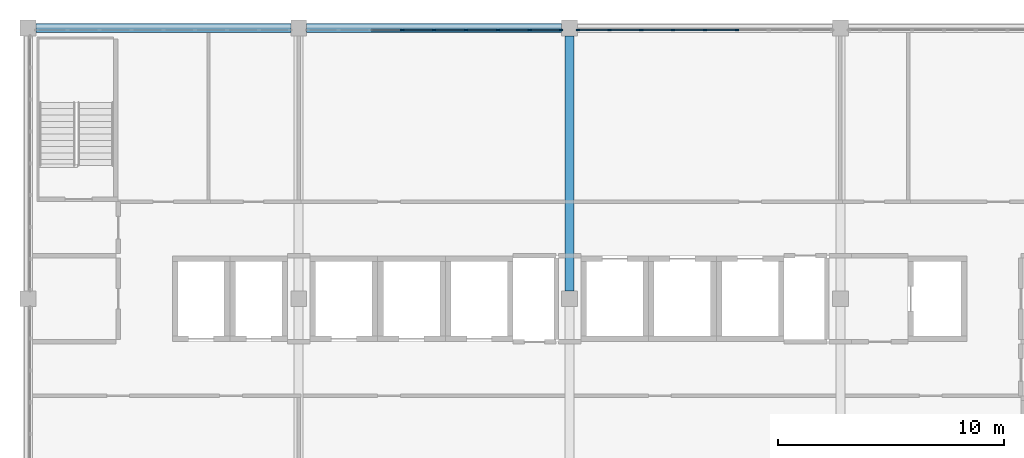
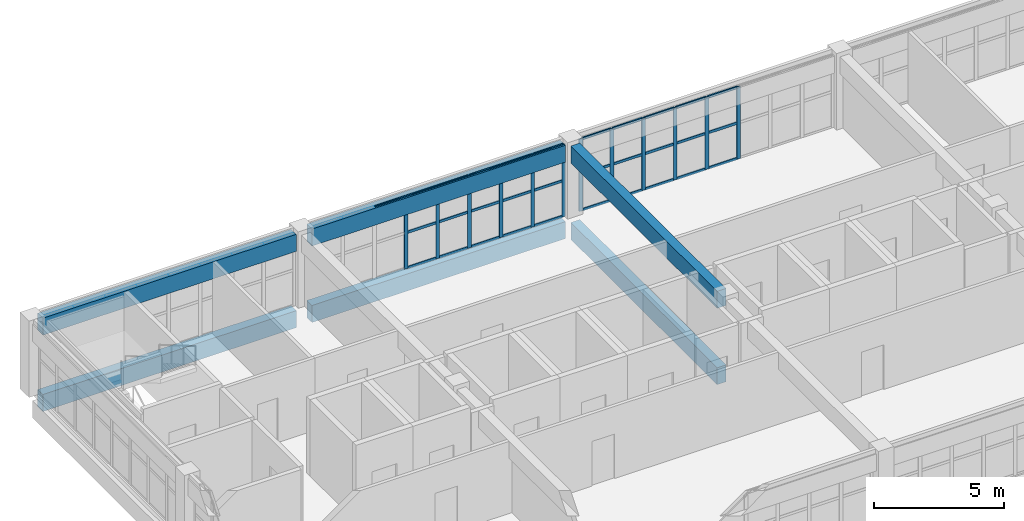
# One storey, part 6 of 16: 43 members, 6 beams, 2 elements without a shape of their own.
"""IFC4 building model written with IfcOpenShell, lengths in metres."""

from ifc_helpers import new_model, si_unit, direction, frame, origin, origin_2d, place, context, subcontext, project, spatial, rectangle, extrude, material, layer, layer_set, material_profile, profile_set, type_object, element, aggregate, save


model = new_model("IFC4")

# Units and contexts
model_context = context("Model", 3, precision=1e-05, world=origin(), true_north=direction((0.0, 1.0)))
body_context = subcontext(model_context, "Body", "Model", "MODEL_VIEW")
ifc_project = project(units=[si_unit("LENGTHUNIT", "METRE"), si_unit("AREAUNIT", "SQUARE_METRE"), si_unit("VOLUMEUNIT", "CUBIC_METRE"), si_unit("PLANEANGLEUNIT", "RADIAN"), si_unit("MASSUNIT", "GRAM", prefix="KILO")], contexts=[model_context])

# Site, building, storey
site_placement = place(None, origin())
site = spatial("IfcSite", under=ifc_project, at=site_placement, CompositionType="ELEMENT")
building_placement = place(site_placement, origin())
building = spatial("IfcBuilding", under=site, at=building_placement, Name="Lilac Gate Convention Centre", CompositionType="ELEMENT")
storey_placement = place(building_placement, frame((0.0, 0.0, 67.800048828125)))
storey = spatial("IfcBuildingStorey", under=building, at=storey_placement, Name="L17", CompositionType="ELEMENT", Elevation=67.800048828125)

# Curtain wall, members
ifc_material_1 = material(Name="Aluminium framed double glazing", Category="aluminium")
ifc_layer = layer(ifc_material_1, 0.199951171875)
ifc_layer_set = layer_set([ifc_layer], Name="Aluminium framed double glazing")
curtain_wall_type = type_object("IfcCurtainWallType", Name="Unitised curtain wall 1500", PredefinedType="NOTDEFINED", material=ifc_layer_set)
curtain_wall_1_placement = place(storey_placement, origin())
curtain_wall_1 = element("IfcCurtainWall", 1, at=curtain_wall_1_placement, inside=storey, type_object=curtain_wall_type, Name="Curtain wall N L17 2", PredefinedType="NOTDEFINED")
ifc_material_2 = material(Name="Aluminium alloy 6063", Category="aluminium")
ifc_material_profile_1 = material_profile(ifc_material_2, rectangle(XDim=0.06005859375, YDim=0.159912109375, at=origin_2d()), Name="Curtain wall mullion 60 x 160")
ifc_profile_set_1 = profile_set([ifc_material_profile_1], Name="Aluminium alloy 6063")
member_type_1 = type_object("IfcMemberType", Name="Curtain wall mullion 60 x 160", PredefinedType="MULLION", material=ifc_profile_set_1)
member_1_placement = place(storey_placement, frame((73.41259765625, 245.89990234375, 0.0), z_axis=(0.0, 0.0, 1.0), x_axis=(0.0, -1.0, 0.0)))
member_1 = element("IfcMember", 2, at=member_1_placement, type_object=member_type_1, Name="CW mullion 4", PredefinedType="MULLION", context=body_context, shape_type="SweptSolid", body=[
    extrude(rectangle(XDim=0.06005859375, YDim=0.159912109375, at=origin_2d()), origin(), (0.0, 0.0, 1.0), 3.39990234375),
])
member_2_placement = place(storey_placement, frame((72.0, 245.89990234375, 0.0), z_axis=(0.0, 0.0, 1.0), x_axis=(0.0, -1.0, 0.0)))
member_2 = element("IfcMember", 3, at=member_2_placement, type_object=member_type_1, Name="CW mullion 5", PredefinedType="MULLION", context=body_context, shape_type="SweptSolid", body=[
    extrude(rectangle(XDim=0.06005859375, YDim=0.159912109375, at=origin_2d()), origin(), (0.0, 0.0, 1.0), 3.39990234375),
])
member_3_placement = place(storey_placement, frame((70.58740234375, 245.89990234375, 0.0), z_axis=(0.0, 0.0, 1.0), x_axis=(0.0, -1.0, 0.0)))
member_3 = element("IfcMember", 4, at=member_3_placement, type_object=member_type_1, Name="CW mullion 6", PredefinedType="MULLION", context=body_context, shape_type="SweptSolid", body=[
    extrude(rectangle(XDim=0.06005859375, YDim=0.159912109375, at=origin_2d()), origin(), (0.0, 0.0, 1.0), 3.39990234375),
])
member_4_placement = place(storey_placement, frame((69.175048828125, 245.89990234375, 0.0), z_axis=(0.0, 0.0, 1.0), x_axis=(0.0, -1.0, 0.0)))
member_4 = element("IfcMember", 5, at=member_4_placement, type_object=member_type_1, Name="CW mullion 7", PredefinedType="MULLION", context=body_context, shape_type="SweptSolid", body=[
    extrude(rectangle(XDim=0.06005859375, YDim=0.159912109375, at=origin_2d()), origin(), (0.0, 0.0, 1.0), 3.39990234375),
])
member_5_placement = place(storey_placement, frame((67.762451171875, 245.89990234375, 0.0), z_axis=(0.0, 0.0, 1.0), x_axis=(0.0, -1.0, 0.0)))
member_5 = element("IfcMember", 6, at=member_5_placement, type_object=member_type_1, Name="CW mullion 8", PredefinedType="MULLION", context=body_context, shape_type="SweptSolid", body=[
    extrude(rectangle(XDim=0.06005859375, YDim=0.159912109375, at=origin_2d()), origin(), (0.0, 0.0, 1.0), 3.39990234375),
])
member_6_placement = place(storey_placement, frame((66.380126953125, 245.89990234375, 0.0), z_axis=(0.0, 0.0, 1.0), x_axis=(0.0, -1.0, 0.0)))
member_6 = element("IfcMember", 7, at=member_6_placement, type_object=member_type_1, Name="CW mullion 9", PredefinedType="MULLION", context=body_context, shape_type="SweptSolid", body=[
    extrude(rectangle(XDim=0.06005859375, YDim=0.159912109375, at=origin_2d()), origin(), (0.0, 0.0, 1.0), 3.39990234375),
])

curtain_wall_2_placement = place(storey_placement, origin())
curtain_wall_2 = element("IfcCurtainWall", 8, at=curtain_wall_2_placement, inside=storey, type_object=curtain_wall_type, Name="Curtain wall N L17 3", PredefinedType="NOTDEFINED")
member_7_placement = place(storey_placement, frame((65.619873046875, 245.89990234375, 0.0), z_axis=(0.0, 0.0, 1.0), x_axis=(0.0, -1.0, 0.0)))
member_7 = element("IfcMember", 9, at=member_7_placement, type_object=member_type_1, Name="CW mullion 1", PredefinedType="MULLION", context=body_context, shape_type="SweptSolid", body=[
    extrude(rectangle(XDim=0.06005859375, YDim=0.159912109375, at=origin_2d()), origin(), (0.0, 0.0, 1.0), 3.39990234375),
])
member_8_placement = place(storey_placement, frame((64.237548828125, 245.89990234375, 0.0), z_axis=(0.0, 0.0, 1.0), x_axis=(0.0, -1.0, 0.0)))
member_8 = element("IfcMember", 10, at=member_8_placement, type_object=member_type_1, Name="CW mullion 2", PredefinedType="MULLION", context=body_context, shape_type="SweptSolid", body=[
    extrude(rectangle(XDim=0.06005859375, YDim=0.159912109375, at=origin_2d()), origin(), (0.0, 0.0, 1.0), 3.39990234375),
])
member_9_placement = place(storey_placement, frame((62.824951171875, 245.89990234375, 0.0), z_axis=(0.0, 0.0, 1.0), x_axis=(0.0, -1.0, 0.0)))
member_9 = element("IfcMember", 11, at=member_9_placement, type_object=member_type_1, Name="CW mullion 3", PredefinedType="MULLION", context=body_context, shape_type="SweptSolid", body=[
    extrude(rectangle(XDim=0.06005859375, YDim=0.159912109375, at=origin_2d()), origin(), (0.0, 0.0, 1.0), 3.39990234375),
])
member_10_placement = place(storey_placement, frame((61.41259765625, 245.89990234375, 0.0), z_axis=(0.0, 0.0, 1.0), x_axis=(0.0, -1.0, 0.0)))
member_10 = element("IfcMember", 12, at=member_10_placement, type_object=member_type_1, Name="CW mullion 4", PredefinedType="MULLION", context=body_context, shape_type="SweptSolid", body=[
    extrude(rectangle(XDim=0.06005859375, YDim=0.159912109375, at=origin_2d()), origin(), (0.0, 0.0, 1.0), 3.39990234375),
])
member_11_placement = place(storey_placement, frame((60.0, 245.89990234375, 0.0), z_axis=(0.0, 0.0, 1.0), x_axis=(0.0, -1.0, 0.0)))
member_11 = element("IfcMember", 13, at=member_11_placement, type_object=member_type_1, Name="CW mullion 5", PredefinedType="MULLION", context=body_context, shape_type="SweptSolid", body=[
    extrude(rectangle(XDim=0.06005859375, YDim=0.159912109375, at=origin_2d()), origin(), (0.0, 0.0, 1.0), 3.39990234375),
])
member_12_placement = place(storey_placement, frame((58.58740234375, 245.89990234375, 0.0), z_axis=(0.0, 0.0, 1.0), x_axis=(0.0, -1.0, 0.0)))
member_12 = element("IfcMember", 14, at=member_12_placement, type_object=member_type_1, Name="CW mullion 6", PredefinedType="MULLION", context=body_context, shape_type="SweptSolid", body=[
    extrude(rectangle(XDim=0.06005859375, YDim=0.159912109375, at=origin_2d()), origin(), (0.0, 0.0, 1.0), 3.39990234375),
])

# Member
ifc_material_profile_2 = material_profile(ifc_material_2, rectangle(XDim=0.06005859375, YDim=0.1201171875, at=origin_2d()), Name="Curtain wall transom 60 x 120")
ifc_profile_set_2 = profile_set([ifc_material_profile_2], Name="Aluminium alloy 6063")
member_type_2 = type_object("IfcMemberType", Name="Curtain wall transom 60 x 120", PredefinedType="USERDEFINED", material=ifc_profile_set_2)
member_13_placement = place(storey_placement, frame((73.382568359375, 245.89990234375, 0.030029296875), z_axis=(-1.0, 0.0, 0.0), x_axis=(0.0, -1.0, 0.0)))
member_13 = element("IfcMember", 15, at=member_13_placement, type_object=member_type_2, Name="CW transom 4.1", ObjectType="TRANSOM", PredefinedType="USERDEFINED", context=body_context, shape_type="SweptSolid", body=[
    extrude(rectangle(XDim=0.06005859375, YDim=0.1201171875, at=origin_2d()), origin(), (0.0, 0.0, 1.0), 1.3525390625),
])

member_14_placement = place(storey_placement, frame((73.382568359375, 245.89990234375, 1.699951171875), z_axis=(-1.0, 0.0, 0.0), x_axis=(0.0, -1.0, 0.0)))
member_14 = element("IfcMember", 16, at=member_14_placement, type_object=member_type_2, Name="CW transom 4.2", ObjectType="TRANSOM", PredefinedType="USERDEFINED", context=body_context, shape_type="SweptSolid", body=[
    extrude(rectangle(XDim=0.06005859375, YDim=0.1201171875, at=origin_2d()), origin(), (0.0, 0.0, 1.0), 1.3525390625),
])

member_15_placement = place(storey_placement, frame((73.382568359375, 245.89990234375, 3.369873046875), z_axis=(-1.0, 0.0, 0.0), x_axis=(0.0, -1.0, 0.0)))
member_15 = element("IfcMember", 17, at=member_15_placement, type_object=member_type_2, Name="CW transom 4.3", ObjectType="TRANSOM", PredefinedType="USERDEFINED", context=body_context, shape_type="SweptSolid", body=[
    extrude(rectangle(XDim=0.06005859375, YDim=0.1201171875, at=origin_2d()), origin(), (0.0, 0.0, 1.0), 1.3525390625),
])

member_16_placement = place(storey_placement, frame((71.969970703125, 245.89990234375, 0.030029296875), z_axis=(-1.0, 0.0, 0.0), x_axis=(0.0, -1.0, 0.0)))
member_16 = element("IfcMember", 18, at=member_16_placement, type_object=member_type_2, Name="CW transom 5.1", ObjectType="TRANSOM", PredefinedType="USERDEFINED", context=body_context, shape_type="SweptSolid", body=[
    extrude(rectangle(XDim=0.06005859375, YDim=0.1201171875, at=origin_2d()), origin(), (0.0, 0.0, 1.0), 1.3525390625),
])

member_17_placement = place(storey_placement, frame((71.969970703125, 245.89990234375, 1.699951171875), z_axis=(-1.0, 0.0, 0.0), x_axis=(0.0, -1.0, 0.0)))
member_17 = element("IfcMember", 19, at=member_17_placement, type_object=member_type_2, Name="CW transom 5.2", ObjectType="TRANSOM", PredefinedType="USERDEFINED", context=body_context, shape_type="SweptSolid", body=[
    extrude(rectangle(XDim=0.06005859375, YDim=0.1201171875, at=origin_2d()), origin(), (0.0, 0.0, 1.0), 1.3525390625),
])

member_18_placement = place(storey_placement, frame((71.969970703125, 245.89990234375, 3.369873046875), z_axis=(-1.0, 0.0, 0.0), x_axis=(0.0, -1.0, 0.0)))
member_18 = element("IfcMember", 20, at=member_18_placement, type_object=member_type_2, Name="CW transom 5.3", ObjectType="TRANSOM", PredefinedType="USERDEFINED", context=body_context, shape_type="SweptSolid", body=[
    extrude(rectangle(XDim=0.06005859375, YDim=0.1201171875, at=origin_2d()), origin(), (0.0, 0.0, 1.0), 1.3525390625),
])

member_19_placement = place(storey_placement, frame((70.5576171875, 245.89990234375, 0.030029296875), z_axis=(-1.0, 0.0, 0.0), x_axis=(0.0, -1.0, 0.0)))
member_19 = element("IfcMember", 21, at=member_19_placement, type_object=member_type_2, Name="CW transom 6.1", ObjectType="TRANSOM", PredefinedType="USERDEFINED", context=body_context, shape_type="SweptSolid", body=[
    extrude(rectangle(XDim=0.06005859375, YDim=0.1201171875, at=origin_2d()), origin(), (0.0, 0.0, 1.0), 1.3525390625),
])

member_20_placement = place(storey_placement, frame((70.5576171875, 245.89990234375, 1.699951171875), z_axis=(-1.0, 0.0, 0.0), x_axis=(0.0, -1.0, 0.0)))
member_20 = element("IfcMember", 22, at=member_20_placement, type_object=member_type_2, Name="CW transom 6.2", ObjectType="TRANSOM", PredefinedType="USERDEFINED", context=body_context, shape_type="SweptSolid", body=[
    extrude(rectangle(XDim=0.06005859375, YDim=0.1201171875, at=origin_2d()), origin(), (0.0, 0.0, 1.0), 1.3525390625),
])

member_21_placement = place(storey_placement, frame((70.5576171875, 245.89990234375, 3.369873046875), z_axis=(-1.0, 0.0, 0.0), x_axis=(0.0, -1.0, 0.0)))
member_21 = element("IfcMember", 23, at=member_21_placement, type_object=member_type_2, Name="CW transom 6.3", ObjectType="TRANSOM", PredefinedType="USERDEFINED", context=body_context, shape_type="SweptSolid", body=[
    extrude(rectangle(XDim=0.06005859375, YDim=0.1201171875, at=origin_2d()), origin(), (0.0, 0.0, 1.0), 1.3525390625),
])

member_22_placement = place(storey_placement, frame((69.14501953125, 245.89990234375, 0.030029296875), z_axis=(-1.0, 0.0, 0.0), x_axis=(0.0, -1.0, 0.0)))
member_22 = element("IfcMember", 24, at=member_22_placement, type_object=member_type_2, Name="CW transom 7.1", ObjectType="TRANSOM", PredefinedType="USERDEFINED", context=body_context, shape_type="SweptSolid", body=[
    extrude(rectangle(XDim=0.06005859375, YDim=0.1201171875, at=origin_2d()), origin(), (0.0, 0.0, 1.0), 1.3525390625),
])

member_23_placement = place(storey_placement, frame((69.14501953125, 245.89990234375, 1.699951171875), z_axis=(-1.0, 0.0, 0.0), x_axis=(0.0, -1.0, 0.0)))
member_23 = element("IfcMember", 25, at=member_23_placement, type_object=member_type_2, Name="CW transom 7.2", ObjectType="TRANSOM", PredefinedType="USERDEFINED", context=body_context, shape_type="SweptSolid", body=[
    extrude(rectangle(XDim=0.06005859375, YDim=0.1201171875, at=origin_2d()), origin(), (0.0, 0.0, 1.0), 1.3525390625),
])

member_24_placement = place(storey_placement, frame((69.14501953125, 245.89990234375, 3.369873046875), z_axis=(-1.0, 0.0, 0.0), x_axis=(0.0, -1.0, 0.0)))
member_24 = element("IfcMember", 26, at=member_24_placement, type_object=member_type_2, Name="CW transom 7.3", ObjectType="TRANSOM", PredefinedType="USERDEFINED", context=body_context, shape_type="SweptSolid", body=[
    extrude(rectangle(XDim=0.06005859375, YDim=0.1201171875, at=origin_2d()), origin(), (0.0, 0.0, 1.0), 1.3525390625),
])

member_25_placement = place(storey_placement, frame((67.732666015625, 245.89990234375, 0.030029296875), z_axis=(-1.0, 0.0, 0.0), x_axis=(0.0, -1.0, 0.0)))
member_25 = element("IfcMember", 27, at=member_25_placement, type_object=member_type_2, Name="CW transom 8.1", ObjectType="TRANSOM", PredefinedType="USERDEFINED", context=body_context, shape_type="SweptSolid", body=[
    extrude(rectangle(XDim=0.06005859375, YDim=0.1201171875, at=origin_2d()), origin(), (0.0, 0.0, 1.0), 1.322509765625),
])

member_26_placement = place(storey_placement, frame((67.732666015625, 245.89990234375, 1.699951171875), z_axis=(-1.0, 0.0, 0.0), x_axis=(0.0, -1.0, 0.0)))
member_26 = element("IfcMember", 28, at=member_26_placement, type_object=member_type_2, Name="CW transom 8.2", ObjectType="TRANSOM", PredefinedType="USERDEFINED", context=body_context, shape_type="SweptSolid", body=[
    extrude(rectangle(XDim=0.06005859375, YDim=0.1201171875, at=origin_2d()), origin(), (0.0, 0.0, 1.0), 1.322509765625),
])

member_27_placement = place(storey_placement, frame((67.732666015625, 245.89990234375, 3.369873046875), z_axis=(-1.0, 0.0, 0.0), x_axis=(0.0, -1.0, 0.0)))
member_27 = element("IfcMember", 29, at=member_27_placement, type_object=member_type_2, Name="CW transom 8.3", ObjectType="TRANSOM", PredefinedType="USERDEFINED", context=body_context, shape_type="SweptSolid", body=[
    extrude(rectangle(XDim=0.06005859375, YDim=0.1201171875, at=origin_2d()), origin(), (0.0, 0.0, 1.0), 1.322509765625),
])

aggregate(curtain_wall_1, [member_1, member_2, member_3, member_4, member_5, member_6, member_13, member_14, member_15, member_16, member_17, member_18, member_19, member_20, member_21, member_22, member_23, member_24, member_25, member_26, member_27])

member_28_placement = place(storey_placement, frame((65.58984375, 245.89990234375, 0.030029296875), z_axis=(-1.0, 0.0, 0.0), x_axis=(0.0, -1.0, 0.0)))
member_28 = element("IfcMember", 30, at=member_28_placement, type_object=member_type_2, Name="CW transom 1.1", ObjectType="TRANSOM", PredefinedType="USERDEFINED", context=body_context, shape_type="SweptSolid", body=[
    extrude(rectangle(XDim=0.06005859375, YDim=0.1201171875, at=origin_2d()), origin(), (0.0, 0.0, 1.0), 1.322509765625),
])

member_29_placement = place(storey_placement, frame((65.58984375, 245.89990234375, 1.699951171875), z_axis=(-1.0, 0.0, 0.0), x_axis=(0.0, -1.0, 0.0)))
member_29 = element("IfcMember", 31, at=member_29_placement, type_object=member_type_2, Name="CW transom 1.2", ObjectType="TRANSOM", PredefinedType="USERDEFINED", context=body_context, shape_type="SweptSolid", body=[
    extrude(rectangle(XDim=0.06005859375, YDim=0.1201171875, at=origin_2d()), origin(), (0.0, 0.0, 1.0), 1.322509765625),
])

member_30_placement = place(storey_placement, frame((65.58984375, 245.89990234375, 3.369873046875), z_axis=(-1.0, 0.0, 0.0), x_axis=(0.0, -1.0, 0.0)))
member_30 = element("IfcMember", 32, at=member_30_placement, type_object=member_type_2, Name="CW transom 1.3", ObjectType="TRANSOM", PredefinedType="USERDEFINED", context=body_context, shape_type="SweptSolid", body=[
    extrude(rectangle(XDim=0.06005859375, YDim=0.1201171875, at=origin_2d()), origin(), (0.0, 0.0, 1.0), 1.322509765625),
])

member_31_placement = place(storey_placement, frame((64.20751953125, 245.89990234375, 0.030029296875), z_axis=(-1.0, 0.0, 0.0), x_axis=(0.0, -1.0, 0.0)))
member_31 = element("IfcMember", 33, at=member_31_placement, type_object=member_type_2, Name="CW transom 2.1", ObjectType="TRANSOM", PredefinedType="USERDEFINED", context=body_context, shape_type="SweptSolid", body=[
    extrude(rectangle(XDim=0.06005859375, YDim=0.1201171875, at=origin_2d()), origin(), (0.0, 0.0, 1.0), 1.3525390625),
])

member_32_placement = place(storey_placement, frame((64.20751953125, 245.89990234375, 1.699951171875), z_axis=(-1.0, 0.0, 0.0), x_axis=(0.0, -1.0, 0.0)))
member_32 = element("IfcMember", 34, at=member_32_placement, type_object=member_type_2, Name="CW transom 2.2", ObjectType="TRANSOM", PredefinedType="USERDEFINED", context=body_context, shape_type="SweptSolid", body=[
    extrude(rectangle(XDim=0.06005859375, YDim=0.1201171875, at=origin_2d()), origin(), (0.0, 0.0, 1.0), 1.3525390625),
])

member_33_placement = place(storey_placement, frame((64.20751953125, 245.89990234375, 3.369873046875), z_axis=(-1.0, 0.0, 0.0), x_axis=(0.0, -1.0, 0.0)))
member_33 = element("IfcMember", 35, at=member_33_placement, type_object=member_type_2, Name="CW transom 2.3", ObjectType="TRANSOM", PredefinedType="USERDEFINED", context=body_context, shape_type="SweptSolid", body=[
    extrude(rectangle(XDim=0.06005859375, YDim=0.1201171875, at=origin_2d()), origin(), (0.0, 0.0, 1.0), 1.3525390625),
])

member_34_placement = place(storey_placement, frame((62.794921875, 245.89990234375, 0.030029296875), z_axis=(-1.0, 0.0, 0.0), x_axis=(0.0, -1.0, 0.0)))
member_34 = element("IfcMember", 36, at=member_34_placement, type_object=member_type_2, Name="CW transom 3.1", ObjectType="TRANSOM", PredefinedType="USERDEFINED", context=body_context, shape_type="SweptSolid", body=[
    extrude(rectangle(XDim=0.06005859375, YDim=0.1201171875, at=origin_2d()), origin(), (0.0, 0.0, 1.0), 1.3525390625),
])

member_35_placement = place(storey_placement, frame((62.794921875, 245.89990234375, 1.699951171875), z_axis=(-1.0, 0.0, 0.0), x_axis=(0.0, -1.0, 0.0)))
member_35 = element("IfcMember", 37, at=member_35_placement, type_object=member_type_2, Name="CW transom 3.2", ObjectType="TRANSOM", PredefinedType="USERDEFINED", context=body_context, shape_type="SweptSolid", body=[
    extrude(rectangle(XDim=0.06005859375, YDim=0.1201171875, at=origin_2d()), origin(), (0.0, 0.0, 1.0), 1.3525390625),
])

member_36_placement = place(storey_placement, frame((62.794921875, 245.89990234375, 3.369873046875), z_axis=(-1.0, 0.0, 0.0), x_axis=(0.0, -1.0, 0.0)))
member_36 = element("IfcMember", 38, at=member_36_placement, type_object=member_type_2, Name="CW transom 3.3", ObjectType="TRANSOM", PredefinedType="USERDEFINED", context=body_context, shape_type="SweptSolid", body=[
    extrude(rectangle(XDim=0.06005859375, YDim=0.1201171875, at=origin_2d()), origin(), (0.0, 0.0, 1.0), 1.3525390625),
])

member_37_placement = place(storey_placement, frame((61.382568359375, 245.89990234375, 0.030029296875), z_axis=(-1.0, 0.0, 0.0), x_axis=(0.0, -1.0, 0.0)))
member_37 = element("IfcMember", 39, at=member_37_placement, type_object=member_type_2, Name="CW transom 4.1", ObjectType="TRANSOM", PredefinedType="USERDEFINED", context=body_context, shape_type="SweptSolid", body=[
    extrude(rectangle(XDim=0.06005859375, YDim=0.1201171875, at=origin_2d()), origin(), (0.0, 0.0, 1.0), 1.3525390625),
])

member_38_placement = place(storey_placement, frame((61.382568359375, 245.89990234375, 1.699951171875), z_axis=(-1.0, 0.0, 0.0), x_axis=(0.0, -1.0, 0.0)))
member_38 = element("IfcMember", 40, at=member_38_placement, type_object=member_type_2, Name="CW transom 4.2", ObjectType="TRANSOM", PredefinedType="USERDEFINED", context=body_context, shape_type="SweptSolid", body=[
    extrude(rectangle(XDim=0.06005859375, YDim=0.1201171875, at=origin_2d()), origin(), (0.0, 0.0, 1.0), 1.3525390625),
])

member_39_placement = place(storey_placement, frame((61.382568359375, 245.89990234375, 3.369873046875), z_axis=(-1.0, 0.0, 0.0), x_axis=(0.0, -1.0, 0.0)))
member_39 = element("IfcMember", 41, at=member_39_placement, type_object=member_type_2, Name="CW transom 4.3", ObjectType="TRANSOM", PredefinedType="USERDEFINED", context=body_context, shape_type="SweptSolid", body=[
    extrude(rectangle(XDim=0.06005859375, YDim=0.1201171875, at=origin_2d()), origin(), (0.0, 0.0, 1.0), 1.3525390625),
])

member_40_placement = place(storey_placement, frame((59.969970703125, 245.89990234375, 0.030029296875), z_axis=(-1.0, 0.0, 0.0), x_axis=(0.0, -1.0, 0.0)))
member_40 = element("IfcMember", 42, at=member_40_placement, type_object=member_type_2, Name="CW transom 5.1", ObjectType="TRANSOM", PredefinedType="USERDEFINED", context=body_context, shape_type="SweptSolid", body=[
    extrude(rectangle(XDim=0.06005859375, YDim=0.1201171875, at=origin_2d()), origin(), (0.0, 0.0, 1.0), 1.3525390625),
])

member_41_placement = place(storey_placement, frame((59.969970703125, 245.89990234375, 1.699951171875), z_axis=(-1.0, 0.0, 0.0), x_axis=(0.0, -1.0, 0.0)))
member_41 = element("IfcMember", 43, at=member_41_placement, type_object=member_type_2, Name="CW transom 5.2", ObjectType="TRANSOM", PredefinedType="USERDEFINED", context=body_context, shape_type="SweptSolid", body=[
    extrude(rectangle(XDim=0.06005859375, YDim=0.1201171875, at=origin_2d()), origin(), (0.0, 0.0, 1.0), 1.3525390625),
])

member_42_placement = place(storey_placement, frame((59.969970703125, 245.89990234375, 3.369873046875), z_axis=(-1.0, 0.0, 0.0), x_axis=(0.0, -1.0, 0.0)))
member_42 = element("IfcMember", 44, at=member_42_placement, type_object=member_type_2, Name="CW transom 5.3", ObjectType="TRANSOM", PredefinedType="USERDEFINED", context=body_context, shape_type="SweptSolid", body=[
    extrude(rectangle(XDim=0.06005859375, YDim=0.1201171875, at=origin_2d()), origin(), (0.0, 0.0, 1.0), 1.3525390625),
])

member_43_placement = place(storey_placement, frame((58.5576171875, 245.89990234375, 3.369873046875), z_axis=(-1.0, 0.0, 0.0), x_axis=(0.0, -1.0, 0.0)))
member_43 = element("IfcMember", 45, at=member_43_placement, type_object=member_type_2, Name="CW transom 6.3", ObjectType="TRANSOM", PredefinedType="USERDEFINED", context=body_context, shape_type="SweptSolid", body=[
    extrude(rectangle(XDim=0.06005859375, YDim=0.1201171875, at=origin_2d()), origin(), (0.0, 0.0, 1.0), 1.3525390625),
])

aggregate(curtain_wall_2, [member_7, member_8, member_9, member_10, member_11, member_12, member_28, member_29, member_30, member_31, member_32, member_33, member_34, member_35, member_36, member_37, member_38, member_39, member_40, member_41, member_42, member_43])

# Beams
ifc_material_3 = material(Name="Concrete C40", Category="concrete")
ifc_material_profile_3 = material_profile(ifc_material_3, rectangle(XDim=0.39990234375, YDim=0.800048828125, at=origin_2d()), Name="RC 400x800")
ifc_profile_set_3 = profile_set([ifc_material_profile_3], Name="Concrete C40")
beam_type = type_object("IfcBeamType", Name="Tower primary beam 400x800 C40", PredefinedType="BEAM", material=ifc_profile_set_3)
for number, where, z_axis, x_axis, name in (
    (46, (42.35009765625, 246.0, -0.60009765625), (1.0, 0.0, 0.0), (0.0, 1.0, 0.0), "RB3 L17 4/U-5/U"),
    (47, (54.35009765625, 246.0, -0.60009765625), (1.0, 0.0, 0.0), (0.0, 1.0, 0.0), "RB3 L17 5/U-6/U"),
    (48, (66.0, 234.35009765625, -0.60009765625), (0.0, 1.0, 0.0), (-1.0, 0.0, 0.0), "RB3 L17 6/T-6/U"),
    (49, (42.35009765625, 246.0, 3.0), (1.0, 0.0, 0.0), (0.0, 1.0, 0.0), "RB3 L17 4/U-5/U"),
    (50, (54.35009765625, 246.0, 3.0), (1.0, 0.0, 0.0), (0.0, 1.0, 0.0), "RB3 L17 5/U-6/U"),
    (51, (66.0, 234.35009765625, 3.0), (0.0, 1.0, 0.0), (-1.0, 0.0, 0.0), "RB3 L17 6/T-6/U"),
):
    element("IfcBeam", number, at=place(storey_placement, frame(where, z_axis=z_axis, x_axis=x_axis)), inside=storey, type_object=beam_type, Name=name, PredefinedType="BEAM", context=body_context, shape_type="SweptSolid", body=[
        extrude(rectangle(XDim=0.39990234375, YDim=0.800048828125, at=origin_2d()), origin(), (0.0, 0.0, 1.0), 11.2998046875),
    ])

save(model, "model.ifc")
